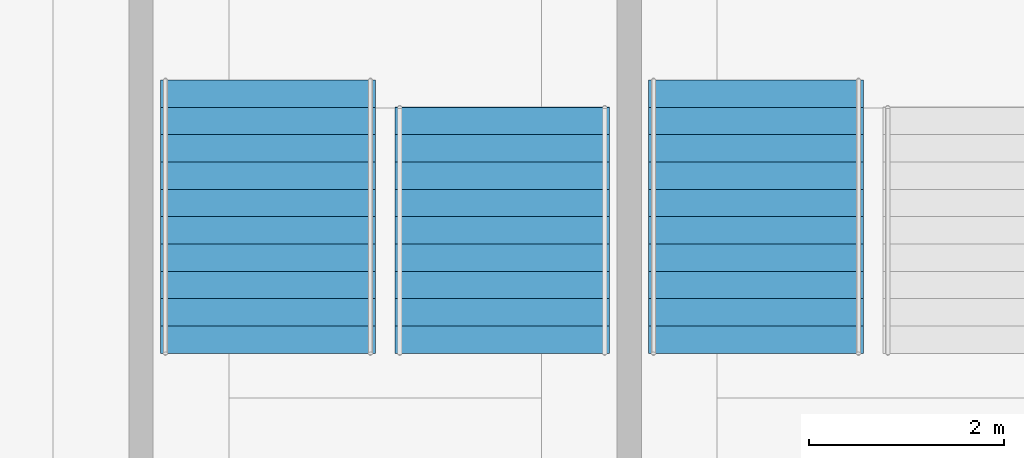
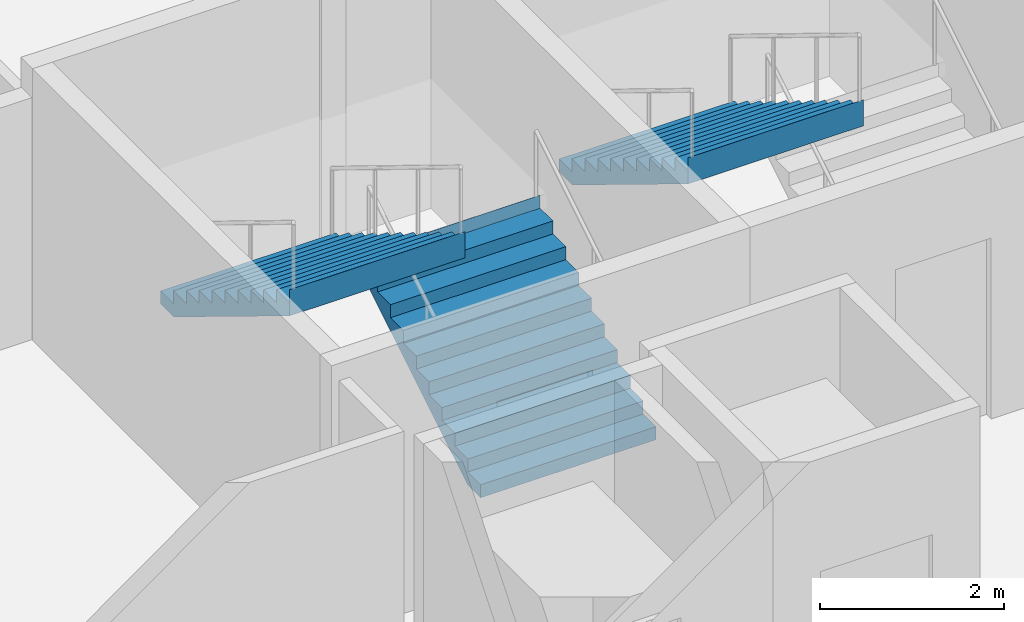
# One storey, part 103 of 148: 3 stair flights, 2 elements without a shape of their own.
"""IFC4 building model written with IfcOpenShell, lengths in metres."""

from ifc_helpers import new_model, si_unit, direction, frame, origin, place, context, subcontext, project, spatial, polyline, outline, extrude, material, type_object, element, aggregate, save


model = new_model("IFC4")

# Units and contexts
model_context = context("Model", 3, precision=1e-05, world=origin(), true_north=direction((0.0, 1.0)))
body_context = subcontext(model_context, "Body", "Model", "MODEL_VIEW")
ifc_project = project(units=[si_unit("LENGTHUNIT", "METRE"), si_unit("AREAUNIT", "SQUARE_METRE"), si_unit("VOLUMEUNIT", "CUBIC_METRE"), si_unit("PLANEANGLEUNIT", "RADIAN"), si_unit("MASSUNIT", "GRAM", prefix="KILO")], contexts=[model_context])

# Site, building, storey
site_placement = place(None, origin())
site = spatial("IfcSite", under=ifc_project, at=site_placement, CompositionType="ELEMENT")
building_placement = place(site_placement, origin())
building = spatial("IfcBuilding", under=site, at=building_placement, Name="Kupolbacken Congress Centre", CompositionType="ELEMENT")
storey_placement = place(building_placement, origin())
storey = spatial("IfcBuildingStorey", under=building, at=storey_placement, Name="L00", CompositionType="ELEMENT", Elevation=0.0)

# Stair, stair flights
ifc_material_1 = material(Name="Concrete C30/37", Category="concrete")
stair_type = type_object("IfcStairType", Name="ST13 stair 2200", PredefinedType="TWO_STRAIGHT_RUN_STAIR", material=ifc_material_1)
stair_1_placement = place(storey_placement, origin())
stair_1 = element("IfcStair", 1, at=stair_1_placement, inside=storey, type_object=stair_type, Name="C/stair/PS1NE/L00", PredefinedType="NOTDEFINED")
ifc_material_2 = material(Name="Concrete C30/37", Category="concrete")
stair_flight_type_1 = type_object("IfcStairFlightType", Name="FL13 stair flight 2200 x 10 risers", PredefinedType="STRAIGHT", material=ifc_material_2)
stair_flight_1_placement = place(storey_placement, frame((72.10009765625, 117.2548828125, 0.0), z_axis=(0.0, 0.0, 1.0), x_axis=(0.0, 1.0, 0.0)))
stair_flight_1 = element("IfcStairFlight", 2, at=stair_flight_1_placement, type_object=stair_flight_type_1, Name="PS1NE flight 1", NumberOfRisers=10, NumberOfTreads=9, PredefinedType="STRAIGHT", RiserHeight=0.171428571, TreadLength=0.28, context=body_context, shape_type="SweptSolid", body=[
    extrude(outline(polyline([(0.0, 0.0), (0.0, 0.0009765625), (0.0, 0.002197265625), (0.0, 0.003173828125), (0.0, 0.004150390625), (0.0, 0.00537109375), (0.0, 0.00634765625), (0.0, 0.007568359375), (0.0, 0.008544921875), (0.0, 0.009521484375), (0.0, 0.0107421875), (0.0, 0.01171875), (0.0, 0.0126953125), (0.0, 0.013916015625), (0.0, 0.014892578125), (0.0, 0.015869140625), (0.0, 0.01708984375), (0.0, 0.01806640625), (0.0, 0.019287109375), (0.0, 0.020263671875), (0.0, 0.021240234375), (0.0, 0.0224609375), (0.0, 0.0234375), (0.0, 0.0244140625), (0.0, 0.025634765625), (0.0, 0.026611328125), (0.0, 0.027587890625), (0.0, 0.02880859375), (0.0, 0.02978515625), (0.0, 0.03076171875), (0.0, 0.031982421875), (0.0, 0.032958984375), (0.0, 0.0341796875), (0.0, 0.03515625), (0.0, 0.0361328125), (0.0, 0.037353515625), (0.0, 0.038330078125), (0.0, 0.039306640625), (0.0, 0.04052734375), (0.0, 0.04150390625), (0.0, 0.04248046875), (0.0, 0.043701171875), (0.0, 0.044677734375), (0.0, 0.0458984375), (0.0, 0.046875), (0.0, 0.0478515625), (0.0, 0.049072265625), (0.0, 0.050048828125), (0.0, 0.051025390625), (0.0, 0.05224609375), (0.0, 0.05322265625), (0.0, 0.05419921875), (0.0, 0.055419921875), (0.0, 0.056396484375), (0.0, 0.0576171875), (0.0, 0.05859375), (0.0, 0.0595703125), (0.0, 0.060791015625), (0.0, 0.061767578125), (0.0, 0.062744140625), (0.0, 0.06396484375), (0.0, 0.06494140625), (0.0, 0.06591796875), (0.0, 0.067138671875), (0.0, 0.068115234375), (0.0, 0.069091796875), (0.0, 0.0703125), (0.0, 0.0712890625), (0.0, 0.072509765625), (0.0, 0.073486328125), (0.0, 0.074462890625), (0.0, 0.07568359375), (0.0, 0.07666015625), (0.0, 0.07763671875), (0.0, 0.078857421875), (0.0, 0.079833984375), (0.0, 0.080810546875), (0.0, 0.08203125), (0.0, 0.0830078125), (0.0, 0.084228515625), (0.0, 0.085205078125), (0.0, 0.086181640625), (0.0, 0.08740234375), (0.0, 0.08837890625), (0.0, 0.08935546875), (0.0, 0.090576171875), (0.0, 0.091552734375), (0.0, 0.092529296875), (0.0, 0.09375), (0.0, 0.0947265625), (0.0, 0.095947265625), (0.0, 0.096923828125), (0.0, 0.097900390625), (0.0, 0.09912109375), (0.0, 0.10009765625), (0.0, 0.10107421875), (0.0, 0.102294921875), (0.0, 0.103271484375), (0.0, 0.104248046875), (0.0, 0.10546875), (0.0, 0.1064453125), (0.0, 0.107421875), (0.0, 0.108642578125), (0.0, 0.109619140625), (0.0, 0.11083984375), (0.0, 0.11181640625), (0.0, 0.11279296875), (0.0, 0.114013671875), (0.0, 0.114990234375), (0.0, 0.115966796875), (0.0, 0.1171875), (0.0, 0.1181640625), (0.0, 0.119140625), (0.0, 0.120361328125), (0.0, 0.121337890625), (0.0, 0.12255859375), (0.0, 0.12353515625), (0.0, 0.12451171875), (0.0, 0.125732421875), (0.0, 0.126708984375), (0.0, 0.127685546875), (0.0, 0.12890625), (0.0, 0.1298828125), (0.0, 0.130859375), (0.0, 0.132080078125), (0.0, 0.133056640625), (0.0, 0.13427734375), (0.0, 0.13525390625), (0.0, 0.13623046875), (0.0, 0.137451171875), (0.0, 0.138427734375), (0.0, 0.139404296875), (0.0, 0.140625), (0.0, 0.1416015625), (0.0, 0.142578125), (0.0, 0.143798828125), (0.0, 0.144775390625), (0.0, 0.145751953125), (0.0, 0.14697265625), (0.0, 0.14794921875), (0.0, 0.149169921875), (0.0, 0.150146484375), (0.0, 0.151123046875), (0.0, 0.15234375), (0.0, 0.1533203125), (0.0, 0.154296875), (0.0, 0.155517578125), (0.0, 0.156494140625), (0.0, 0.157470703125), (0.0, 0.15869140625), (0.0, 0.15966796875), (0.0, 0.160888671875), (0.0, 0.161865234375), (0.0, 0.162841796875), (0.0, 0.1640625), (0.0, 0.1650390625), (0.0, 0.166015625), (0.0, 0.167236328125), (0.0, 0.168212890625), (0.0, 0.169189453125), (0.0, 0.17041015625), (0.0, 0.17138671875), (0.280029296875, 0.17138671875), (0.280029296875, 0.3427734375), (0.56005859375, 0.3427734375), (0.56005859375, 0.514404296875), (0.840087890625, 0.514404296875), (0.840087890625, 0.685791015625), (1.1201171875, 0.685791015625), (1.1201171875, 0.857177734375), (1.39990234375, 0.857177734375), (1.39990234375, 1.028564453125), (1.679931640625, 1.028564453125), (1.679931640625, 1.199951171875), (1.9599609375, 1.199951171875), (1.9599609375, 1.371337890625), (2.239990234375, 1.371337890625), (2.239990234375, 1.54296875), (2.52001953125, 1.54296875), (2.52001953125, 1.71435546875), (2.52197265625, 1.71435546875), (2.52197265625, 1.712158203125), (2.52197265625, 1.7099609375), (2.52197265625, 1.707763671875), (2.52197265625, 1.70556640625), (2.52197265625, 1.70361328125), (2.52197265625, 1.701416015625), (2.52197265625, 1.69921875), (2.52197265625, 1.697021484375), (2.52197265625, 1.69482421875), (2.52197265625, 1.692626953125), (2.52197265625, 1.690673828125), (2.52197265625, 1.6884765625), (2.52197265625, 1.686279296875), (2.52197265625, 1.68408203125), (2.52197265625, 1.681884765625), (2.52197265625, 1.6796875), (2.52197265625, 1.677734375), (2.52197265625, 1.675537109375), (2.52197265625, 1.67333984375), (2.52197265625, 1.671142578125), (2.52197265625, 1.6689453125), (2.52197265625, 1.666748046875), (2.52197265625, 1.664794921875), (2.52197265625, 1.66259765625), (2.52197265625, 1.660400390625), (2.52197265625, 1.658203125), (2.52197265625, 1.656005859375), (2.52197265625, 1.65380859375), (2.52197265625, 1.65185546875), (2.52197265625, 1.649658203125), (2.52197265625, 1.6474609375), (2.52197265625, 1.645263671875), (2.52197265625, 1.64306640625), (2.52197265625, 1.640869140625), (2.52197265625, 1.638916015625), (2.52197265625, 1.63671875), (2.52197265625, 1.634521484375), (2.52197265625, 1.63232421875), (2.52197265625, 1.630126953125), (2.52197265625, 1.6279296875), (2.52197265625, 1.6259765625), (2.52197265625, 1.623779296875), (2.52197265625, 1.62158203125), (2.52197265625, 1.619384765625), (2.52197265625, 1.6171875), (2.52197265625, 1.614990234375), (2.52197265625, 1.613037109375), (2.52197265625, 1.61083984375), (2.52197265625, 1.608642578125), (2.52197265625, 1.6064453125), (2.52197265625, 1.604248046875), (2.52197265625, 1.60205078125), (2.52197265625, 1.60009765625), (2.52197265625, 1.597900390625), (2.52197265625, 1.595703125), (2.52197265625, 1.593505859375), (2.52197265625, 1.59130859375), (2.52197265625, 1.589111328125), (2.52197265625, 1.587158203125), (2.52197265625, 1.5849609375), (2.52197265625, 1.582763671875), (2.52197265625, 1.58056640625), (2.52197265625, 1.578369140625), (2.52197265625, 1.576171875), (2.52197265625, 1.57421875), (2.52197265625, 1.572021484375), (2.52197265625, 1.56982421875), (2.52197265625, 1.567626953125), (2.52197265625, 1.5654296875), (2.52197265625, 1.563232421875), (2.52197265625, 1.561279296875), (2.52197265625, 1.55908203125), (2.52197265625, 1.556884765625), (2.52197265625, 1.5546875), (2.52197265625, 1.552490234375), (2.52197265625, 1.55029296875), (2.52197265625, 1.54833984375), (2.52197265625, 1.546142578125), (2.52197265625, 1.5439453125), (2.52197265625, 1.541748046875), (2.52197265625, 1.53955078125), (2.52197265625, 1.537353515625), (2.52197265625, 1.535400390625), (2.52197265625, 1.533203125), (2.52197265625, 1.531005859375), (2.52197265625, 1.52880859375), (2.52197265625, 1.526611328125), (2.52197265625, 1.5244140625), (2.52197265625, 1.5224609375), (2.52197265625, 1.520263671875), (2.52197265625, 1.51806640625), (2.52197265625, 1.515869140625), (2.52197265625, 1.513671875), (2.52197265625, 1.511474609375), (2.52197265625, 1.509521484375), (2.52197265625, 1.50732421875), (2.52197265625, 1.505126953125), (2.52197265625, 1.5029296875), (2.52197265625, 1.500732421875), (2.52197265625, 1.49853515625), (2.52197265625, 1.49658203125), (2.52197265625, 1.494384765625), (2.52197265625, 1.4921875), (2.52197265625, 1.489990234375), (2.52197265625, 1.48779296875), (2.52197265625, 1.485595703125), (2.52197265625, 1.483642578125), (2.52197265625, 1.4814453125), (2.52197265625, 1.479248046875), (2.52197265625, 1.47705078125), (2.52197265625, 1.474853515625), (2.52197265625, 1.47265625), (2.52197265625, 1.470703125), (2.52197265625, 1.468505859375), (2.52197265625, 1.46630859375), (2.52197265625, 1.464111328125), (2.52197265625, 1.4619140625), (2.52197265625, 1.459716796875), (2.52197265625, 1.457763671875), (2.52197265625, 1.45556640625), (2.52197265625, 1.453369140625), (2.52197265625, 1.451171875), (2.52197265625, 1.448974609375), (2.52197265625, 1.44677734375), (2.52197265625, 1.44482421875), (2.52197265625, 1.442626953125), (2.52197265625, 1.4404296875), (2.52197265625, 1.438232421875), (2.52197265625, 1.43603515625), (2.52197265625, 1.433837890625), (2.52197265625, 1.431884765625), (2.52197265625, 1.4296875), (2.52197265625, 1.427490234375), (2.52197265625, 1.42529296875), (2.52197265625, 1.423095703125), (2.52197265625, 1.4208984375), (2.52197265625, 1.4189453125), (2.52197265625, 1.416748046875), (2.52197265625, 1.41455078125), (2.52197265625, 1.412353515625), (2.52197265625, 1.41015625), (2.52197265625, 1.407958984375), (2.52197265625, 1.406005859375), (2.52197265625, 1.40380859375), (2.52197265625, 1.401611328125), (2.52197265625, 1.3994140625), (2.52197265625, 1.397216796875), (2.52197265625, 1.39501953125), (2.52197265625, 1.39306640625), (2.52197265625, 1.390869140625), (2.52197265625, 1.388671875), (2.52197265625, 1.386474609375), (2.52197265625, 1.38427734375), (2.52197265625, 1.382080078125), (2.52197265625, 1.380126953125), (2.52197265625, 1.3779296875), (2.52197265625, 1.375732421875), (2.52197265625, 1.37353515625), (2.52197265625, 1.371337890625), (2.52197265625, 1.369140625), (2.52197265625, 1.3671875), (0.2890625, 0.0), (0.0, 0.0)])), frame((0.0, 1.10009765625, 0.0), z_axis=(0.0, -1.0, 0.0), x_axis=(1.0, 0.0, 0.0)), (0.0, 0.0, 1.0), 2.199951171875),
])
ifc_material_3 = material(Name="Concrete C30/37", Category="concrete")
stair_flight_type_2 = type_object("IfcStairFlightType", Name="FL14 stair flight 2200 x 11 risers", PredefinedType="STRAIGHT", material=ifc_material_3)
stair_flight_2_placement = place(storey_placement, frame((69.699951171875, 120.054931640625, 1.71435546875), z_axis=(0.0, 0.0, 1.0), x_axis=(0.0, -1.0, 0.0)))
stair_flight_2 = element("IfcStairFlight", 3, at=stair_flight_2_placement, type_object=stair_flight_type_2, Name="PS1NE flight 2", NumberOfRisers=11, NumberOfTreads=10, PredefinedType="STRAIGHT", RiserHeight=0.171428571, TreadLength=0.28, context=body_context, shape_type="SweptSolid", body=[
    extrude(outline(polyline([(0.0, 0.0), (0.0, 0.0009765625), (0.0, 0.002197265625), (0.0, 0.003173828125), (0.0, 0.004150390625), (0.0, 0.00537109375), (0.0, 0.00634765625), (0.0, 0.007568359375), (0.0, 0.008544921875), (0.0, 0.009521484375), (0.0, 0.0107421875), (0.0, 0.01171875), (0.0, 0.0126953125), (0.0, 0.013916015625), (0.0, 0.014892578125), (0.0, 0.015869140625), (0.0, 0.01708984375), (0.0, 0.01806640625), (0.0, 0.019287109375), (0.0, 0.020263671875), (0.0, 0.021240234375), (0.0, 0.0224609375), (0.0, 0.0234375), (0.0, 0.0244140625), (0.0, 0.025634765625), (0.0, 0.026611328125), (0.0, 0.027587890625), (0.0, 0.02880859375), (0.0, 0.02978515625), (0.0, 0.03076171875), (0.0, 0.031982421875), (0.0, 0.032958984375), (0.0, 0.0341796875), (0.0, 0.03515625), (0.0, 0.0361328125), (0.0, 0.037353515625), (0.0, 0.038330078125), (0.0, 0.039306640625), (0.0, 0.04052734375), (0.0, 0.04150390625), (0.0, 0.04248046875), (0.0, 0.043701171875), (0.0, 0.044677734375), (0.0, 0.0458984375), (0.0, 0.046875), (0.0, 0.0478515625), (0.0, 0.049072265625), (0.0, 0.050048828125), (0.0, 0.051025390625), (0.0, 0.05224609375), (0.0, 0.05322265625), (0.0, 0.05419921875), (0.0, 0.055419921875), (0.0, 0.056396484375), (0.0, 0.0576171875), (0.0, 0.05859375), (0.0, 0.0595703125), (0.0, 0.060791015625), (0.0, 0.061767578125), (0.0, 0.062744140625), (0.0, 0.06396484375), (0.0, 0.06494140625), (0.0, 0.06591796875), (0.0, 0.067138671875), (0.0, 0.068115234375), (0.0, 0.069091796875), (0.0, 0.0703125), (0.0, 0.0712890625), (0.0, 0.072509765625), (0.0, 0.073486328125), (0.0, 0.074462890625), (0.0, 0.07568359375), (0.0, 0.07666015625), (0.0, 0.07763671875), (0.0, 0.078857421875), (0.0, 0.079833984375), (0.0, 0.080810546875), (0.0, 0.08203125), (0.0, 0.0830078125), (0.0, 0.084228515625), (0.0, 0.085205078125), (0.0, 0.086181640625), (0.0, 0.08740234375), (0.0, 0.08837890625), (0.0, 0.08935546875), (0.0, 0.090576171875), (0.0, 0.091552734375), (0.0, 0.092529296875), (0.0, 0.09375), (0.0, 0.0947265625), (0.0, 0.095947265625), (0.0, 0.096923828125), (0.0, 0.097900390625), (0.0, 0.09912109375), (0.0, 0.10009765625), (0.0, 0.10107421875), (0.0, 0.102294921875), (0.0, 0.103271484375), (0.0, 0.104248046875), (0.0, 0.10546875), (0.0, 0.1064453125), (0.0, 0.107421875), (0.0, 0.108642578125), (0.0, 0.109619140625), (0.0, 0.11083984375), (0.0, 0.11181640625), (0.0, 0.11279296875), (0.0, 0.114013671875), (0.0, 0.114990234375), (0.0, 0.115966796875), (0.0, 0.1171875), (0.0, 0.1181640625), (0.0, 0.119140625), (0.0, 0.120361328125), (0.0, 0.121337890625), (0.0, 0.12255859375), (0.0, 0.12353515625), (0.0, 0.12451171875), (0.0, 0.125732421875), (0.0, 0.126708984375), (0.0, 0.127685546875), (0.0, 0.12890625), (0.0, 0.1298828125), (0.0, 0.130859375), (0.0, 0.132080078125), (0.0, 0.133056640625), (0.0, 0.13427734375), (0.0, 0.13525390625), (0.0, 0.13623046875), (0.0, 0.137451171875), (0.0, 0.138427734375), (0.0, 0.139404296875), (0.0, 0.140625), (0.0, 0.1416015625), (0.0, 0.142578125), (0.0, 0.143798828125), (0.0, 0.144775390625), (0.0, 0.145751953125), (0.0, 0.14697265625), (0.0, 0.14794921875), (0.0, 0.149169921875), (0.0, 0.150146484375), (0.0, 0.151123046875), (0.0, 0.15234375), (0.0, 0.1533203125), (0.0, 0.154296875), (0.0, 0.155517578125), (0.0, 0.156494140625), (0.0, 0.157470703125), (0.0, 0.15869140625), (0.0, 0.15966796875), (0.0, 0.160888671875), (0.0, 0.161865234375), (0.0, 0.162841796875), (0.0, 0.1640625), (0.0, 0.1650390625), (0.0, 0.166015625), (0.0, 0.167236328125), (0.0, 0.168212890625), (0.0, 0.169189453125), (0.0, 0.17041015625), (0.0, 0.17138671875), (0.280029296875, 0.17138671875), (0.280029296875, 0.3427734375), (0.56005859375, 0.3427734375), (0.56005859375, 0.514404296875), (0.840087890625, 0.514404296875), (0.840087890625, 0.685791015625), (1.1201171875, 0.685791015625), (1.1201171875, 0.857177734375), (1.39990234375, 0.857177734375), (1.39990234375, 1.028564453125), (1.679931640625, 1.028564453125), (1.679931640625, 1.199951171875), (1.9599609375, 1.199951171875), (1.9599609375, 1.371337890625), (2.239990234375, 1.371337890625), (2.239990234375, 1.54296875), (2.52001953125, 1.54296875), (2.52001953125, 1.71435546875), (2.800048828125, 1.71435546875), (2.800048828125, 1.8857421875), (2.802001953125, 1.8857421875), (2.802001953125, 1.883544921875), (2.802001953125, 1.88134765625), (2.802001953125, 1.879150390625), (2.802001953125, 1.877197265625), (2.802001953125, 1.875), (2.802001953125, 1.872802734375), (2.802001953125, 1.87060546875), (2.802001953125, 1.868408203125), (2.802001953125, 1.8662109375), (2.802001953125, 1.8642578125), (2.802001953125, 1.862060546875), (2.802001953125, 1.85986328125), (2.802001953125, 1.857666015625), (2.802001953125, 1.85546875), (2.802001953125, 1.853271484375), (2.802001953125, 1.851318359375), (2.802001953125, 1.84912109375), (2.802001953125, 1.846923828125), (2.802001953125, 1.8447265625), (2.802001953125, 1.842529296875), (2.802001953125, 1.84033203125), (2.802001953125, 1.83837890625), (2.802001953125, 1.836181640625), (2.802001953125, 1.833984375), (2.802001953125, 1.831787109375), (2.802001953125, 1.82958984375), (2.802001953125, 1.827392578125), (2.802001953125, 1.825439453125), (2.802001953125, 1.8232421875), (2.802001953125, 1.821044921875), (2.802001953125, 1.81884765625), (2.802001953125, 1.816650390625), (2.802001953125, 1.814453125), (2.802001953125, 1.8125), (2.802001953125, 1.810302734375), (2.802001953125, 1.80810546875), (2.802001953125, 1.805908203125), (2.802001953125, 1.8037109375), (2.802001953125, 1.801513671875), (2.802001953125, 1.799560546875), (2.802001953125, 1.79736328125), (2.802001953125, 1.795166015625), (2.802001953125, 1.79296875), (2.802001953125, 1.790771484375), (2.802001953125, 1.78857421875), (2.802001953125, 1.78662109375), (2.802001953125, 1.784423828125), (2.802001953125, 1.7822265625), (2.802001953125, 1.780029296875), (2.802001953125, 1.77783203125), (2.802001953125, 1.775634765625), (2.802001953125, 1.773681640625), (2.802001953125, 1.771484375), (2.802001953125, 1.769287109375), (2.802001953125, 1.76708984375), (2.802001953125, 1.764892578125), (2.802001953125, 1.7626953125), (2.802001953125, 1.7607421875), (2.802001953125, 1.758544921875), (2.802001953125, 1.75634765625), (2.802001953125, 1.754150390625), (2.802001953125, 1.751953125), (2.802001953125, 1.749755859375), (2.802001953125, 1.747802734375), (2.802001953125, 1.74560546875), (2.802001953125, 1.743408203125), (2.802001953125, 1.7412109375), (2.802001953125, 1.739013671875), (2.802001953125, 1.73681640625), (2.802001953125, 1.73486328125), (2.802001953125, 1.732666015625), (2.802001953125, 1.73046875), (2.802001953125, 1.728271484375), (2.802001953125, 1.72607421875), (2.802001953125, 1.723876953125), (2.802001953125, 1.721923828125), (2.802001953125, 1.7197265625), (2.802001953125, 1.717529296875), (2.802001953125, 1.71533203125), (2.802001953125, 1.713134765625), (2.802001953125, 1.7109375), (2.802001953125, 1.708984375), (2.802001953125, 1.706787109375), (2.802001953125, 1.70458984375), (2.802001953125, 1.702392578125), (2.802001953125, 1.7001953125), (2.802001953125, 1.697998046875), (2.802001953125, 1.696044921875), (2.802001953125, 1.69384765625), (2.802001953125, 1.691650390625), (2.802001953125, 1.689453125), (2.802001953125, 1.687255859375), (2.802001953125, 1.68505859375), (2.802001953125, 1.68310546875), (2.802001953125, 1.680908203125), (2.802001953125, 1.6787109375), (2.802001953125, 1.676513671875), (2.802001953125, 1.67431640625), (2.802001953125, 1.672119140625), (2.802001953125, 1.670166015625), (2.802001953125, 1.66796875), (2.802001953125, 1.665771484375), (2.802001953125, 1.66357421875), (2.802001953125, 1.661376953125), (2.802001953125, 1.6591796875), (2.802001953125, 1.6572265625), (2.802001953125, 1.655029296875), (2.802001953125, 1.65283203125), (2.802001953125, 1.650634765625), (2.802001953125, 1.6484375), (2.802001953125, 1.646240234375), (2.802001953125, 1.644287109375), (2.802001953125, 1.64208984375), (2.802001953125, 1.639892578125), (2.802001953125, 1.6376953125), (2.802001953125, 1.635498046875), (2.802001953125, 1.63330078125), (2.802001953125, 1.63134765625), (2.802001953125, 1.629150390625), (2.802001953125, 1.626953125), (2.802001953125, 1.624755859375), (2.802001953125, 1.62255859375), (2.802001953125, 1.620361328125), (2.802001953125, 1.618408203125), (2.802001953125, 1.6162109375), (2.802001953125, 1.614013671875), (2.802001953125, 1.61181640625), (2.802001953125, 1.609619140625), (2.802001953125, 1.607421875), (2.802001953125, 1.60546875), (2.802001953125, 1.603271484375), (2.802001953125, 1.60107421875), (2.802001953125, 1.598876953125), (2.802001953125, 1.5966796875), (2.802001953125, 1.594482421875), (2.802001953125, 1.592529296875), (2.802001953125, 1.59033203125), (2.802001953125, 1.588134765625), (2.802001953125, 1.5859375), (2.802001953125, 1.583740234375), (2.802001953125, 1.58154296875), (2.802001953125, 1.57958984375), (2.802001953125, 1.577392578125), (2.802001953125, 1.5751953125), (2.802001953125, 1.572998046875), (2.802001953125, 1.57080078125), (2.802001953125, 1.568603515625), (2.802001953125, 1.566650390625), (2.802001953125, 1.564453125), (2.802001953125, 1.562255859375), (2.802001953125, 1.56005859375), (2.802001953125, 1.557861328125), (2.802001953125, 1.5556640625), (2.802001953125, 1.5537109375), (2.802001953125, 1.551513671875), (2.802001953125, 1.54931640625), (2.802001953125, 1.547119140625), (2.802001953125, 1.544921875), (2.802001953125, 1.542724609375), (2.802001953125, 1.540771484375), (2.802001953125, 1.53857421875), (0.2890625, 0.0), (0.0, 0.0)])), frame((0.0, 1.10009765625, 0.0), z_axis=(0.0, -1.0, 0.0), x_axis=(1.0, 0.0, 0.0)), (0.0, 0.0, 1.0), 2.199951171875),
])
aggregate(stair_1, [stair_flight_1, stair_flight_2])

# Stair, stair flight
stair_2_placement = place(storey_placement, origin())
stair_2 = element("IfcStair", 4, at=stair_2_placement, inside=storey, type_object=stair_type, Name="C/stair/PS2NE/L00", PredefinedType="NOTDEFINED")
stair_flight_3_placement = place(storey_placement, frame((74.699951171875, 120.054931640625, 1.71435546875), z_axis=(0.0, 0.0, 1.0), x_axis=(0.0, -1.0, 0.0)))
stair_flight_3 = element("IfcStairFlight", 5, at=stair_flight_3_placement, type_object=stair_flight_type_2, Name="PS2NE flight 2", NumberOfRisers=11, NumberOfTreads=10, PredefinedType="STRAIGHT", RiserHeight=0.171428571, TreadLength=0.28, context=body_context, shape_type="SweptSolid", body=[
    extrude(outline(polyline([(0.0, 0.0), (0.0, 0.0009765625), (0.0, 0.002197265625), (0.0, 0.003173828125), (0.0, 0.004150390625), (0.0, 0.00537109375), (0.0, 0.00634765625), (0.0, 0.007568359375), (0.0, 0.008544921875), (0.0, 0.009521484375), (0.0, 0.0107421875), (0.0, 0.01171875), (0.0, 0.0126953125), (0.0, 0.013916015625), (0.0, 0.014892578125), (0.0, 0.015869140625), (0.0, 0.01708984375), (0.0, 0.01806640625), (0.0, 0.019287109375), (0.0, 0.020263671875), (0.0, 0.021240234375), (0.0, 0.0224609375), (0.0, 0.0234375), (0.0, 0.0244140625), (0.0, 0.025634765625), (0.0, 0.026611328125), (0.0, 0.027587890625), (0.0, 0.02880859375), (0.0, 0.02978515625), (0.0, 0.03076171875), (0.0, 0.031982421875), (0.0, 0.032958984375), (0.0, 0.0341796875), (0.0, 0.03515625), (0.0, 0.0361328125), (0.0, 0.037353515625), (0.0, 0.038330078125), (0.0, 0.039306640625), (0.0, 0.04052734375), (0.0, 0.04150390625), (0.0, 0.04248046875), (0.0, 0.043701171875), (0.0, 0.044677734375), (0.0, 0.0458984375), (0.0, 0.046875), (0.0, 0.0478515625), (0.0, 0.049072265625), (0.0, 0.050048828125), (0.0, 0.051025390625), (0.0, 0.05224609375), (0.0, 0.05322265625), (0.0, 0.05419921875), (0.0, 0.055419921875), (0.0, 0.056396484375), (0.0, 0.0576171875), (0.0, 0.05859375), (0.0, 0.0595703125), (0.0, 0.060791015625), (0.0, 0.061767578125), (0.0, 0.062744140625), (0.0, 0.06396484375), (0.0, 0.06494140625), (0.0, 0.06591796875), (0.0, 0.067138671875), (0.0, 0.068115234375), (0.0, 0.069091796875), (0.0, 0.0703125), (0.0, 0.0712890625), (0.0, 0.072509765625), (0.0, 0.073486328125), (0.0, 0.074462890625), (0.0, 0.07568359375), (0.0, 0.07666015625), (0.0, 0.07763671875), (0.0, 0.078857421875), (0.0, 0.079833984375), (0.0, 0.080810546875), (0.0, 0.08203125), (0.0, 0.0830078125), (0.0, 0.084228515625), (0.0, 0.085205078125), (0.0, 0.086181640625), (0.0, 0.08740234375), (0.0, 0.08837890625), (0.0, 0.08935546875), (0.0, 0.090576171875), (0.0, 0.091552734375), (0.0, 0.092529296875), (0.0, 0.09375), (0.0, 0.0947265625), (0.0, 0.095947265625), (0.0, 0.096923828125), (0.0, 0.097900390625), (0.0, 0.09912109375), (0.0, 0.10009765625), (0.0, 0.10107421875), (0.0, 0.102294921875), (0.0, 0.103271484375), (0.0, 0.104248046875), (0.0, 0.10546875), (0.0, 0.1064453125), (0.0, 0.107421875), (0.0, 0.108642578125), (0.0, 0.109619140625), (0.0, 0.11083984375), (0.0, 0.11181640625), (0.0, 0.11279296875), (0.0, 0.114013671875), (0.0, 0.114990234375), (0.0, 0.115966796875), (0.0, 0.1171875), (0.0, 0.1181640625), (0.0, 0.119140625), (0.0, 0.120361328125), (0.0, 0.121337890625), (0.0, 0.12255859375), (0.0, 0.12353515625), (0.0, 0.12451171875), (0.0, 0.125732421875), (0.0, 0.126708984375), (0.0, 0.127685546875), (0.0, 0.12890625), (0.0, 0.1298828125), (0.0, 0.130859375), (0.0, 0.132080078125), (0.0, 0.133056640625), (0.0, 0.13427734375), (0.0, 0.13525390625), (0.0, 0.13623046875), (0.0, 0.137451171875), (0.0, 0.138427734375), (0.0, 0.139404296875), (0.0, 0.140625), (0.0, 0.1416015625), (0.0, 0.142578125), (0.0, 0.143798828125), (0.0, 0.144775390625), (0.0, 0.145751953125), (0.0, 0.14697265625), (0.0, 0.14794921875), (0.0, 0.149169921875), (0.0, 0.150146484375), (0.0, 0.151123046875), (0.0, 0.15234375), (0.0, 0.1533203125), (0.0, 0.154296875), (0.0, 0.155517578125), (0.0, 0.156494140625), (0.0, 0.157470703125), (0.0, 0.15869140625), (0.0, 0.15966796875), (0.0, 0.160888671875), (0.0, 0.161865234375), (0.0, 0.162841796875), (0.0, 0.1640625), (0.0, 0.1650390625), (0.0, 0.166015625), (0.0, 0.167236328125), (0.0, 0.168212890625), (0.0, 0.169189453125), (0.0, 0.17041015625), (0.0, 0.17138671875), (0.280029296875, 0.17138671875), (0.280029296875, 0.3427734375), (0.56005859375, 0.3427734375), (0.56005859375, 0.514404296875), (0.840087890625, 0.514404296875), (0.840087890625, 0.685791015625), (1.1201171875, 0.685791015625), (1.1201171875, 0.857177734375), (1.39990234375, 0.857177734375), (1.39990234375, 1.028564453125), (1.679931640625, 1.028564453125), (1.679931640625, 1.199951171875), (1.9599609375, 1.199951171875), (1.9599609375, 1.371337890625), (2.239990234375, 1.371337890625), (2.239990234375, 1.54296875), (2.52001953125, 1.54296875), (2.52001953125, 1.71435546875), (2.800048828125, 1.71435546875), (2.800048828125, 1.8857421875), (2.802001953125, 1.8857421875), (2.802001953125, 1.883544921875), (2.802001953125, 1.88134765625), (2.802001953125, 1.879150390625), (2.802001953125, 1.877197265625), (2.802001953125, 1.875), (2.802001953125, 1.872802734375), (2.802001953125, 1.87060546875), (2.802001953125, 1.868408203125), (2.802001953125, 1.8662109375), (2.802001953125, 1.8642578125), (2.802001953125, 1.862060546875), (2.802001953125, 1.85986328125), (2.802001953125, 1.857666015625), (2.802001953125, 1.85546875), (2.802001953125, 1.853271484375), (2.802001953125, 1.851318359375), (2.802001953125, 1.84912109375), (2.802001953125, 1.846923828125), (2.802001953125, 1.8447265625), (2.802001953125, 1.842529296875), (2.802001953125, 1.84033203125), (2.802001953125, 1.83837890625), (2.802001953125, 1.836181640625), (2.802001953125, 1.833984375), (2.802001953125, 1.831787109375), (2.802001953125, 1.82958984375), (2.802001953125, 1.827392578125), (2.802001953125, 1.825439453125), (2.802001953125, 1.8232421875), (2.802001953125, 1.821044921875), (2.802001953125, 1.81884765625), (2.802001953125, 1.816650390625), (2.802001953125, 1.814453125), (2.802001953125, 1.8125), (2.802001953125, 1.810302734375), (2.802001953125, 1.80810546875), (2.802001953125, 1.805908203125), (2.802001953125, 1.8037109375), (2.802001953125, 1.801513671875), (2.802001953125, 1.799560546875), (2.802001953125, 1.79736328125), (2.802001953125, 1.795166015625), (2.802001953125, 1.79296875), (2.802001953125, 1.790771484375), (2.802001953125, 1.78857421875), (2.802001953125, 1.78662109375), (2.802001953125, 1.784423828125), (2.802001953125, 1.7822265625), (2.802001953125, 1.780029296875), (2.802001953125, 1.77783203125), (2.802001953125, 1.775634765625), (2.802001953125, 1.773681640625), (2.802001953125, 1.771484375), (2.802001953125, 1.769287109375), (2.802001953125, 1.76708984375), (2.802001953125, 1.764892578125), (2.802001953125, 1.7626953125), (2.802001953125, 1.7607421875), (2.802001953125, 1.758544921875), (2.802001953125, 1.75634765625), (2.802001953125, 1.754150390625), (2.802001953125, 1.751953125), (2.802001953125, 1.749755859375), (2.802001953125, 1.747802734375), (2.802001953125, 1.74560546875), (2.802001953125, 1.743408203125), (2.802001953125, 1.7412109375), (2.802001953125, 1.739013671875), (2.802001953125, 1.73681640625), (2.802001953125, 1.73486328125), (2.802001953125, 1.732666015625), (2.802001953125, 1.73046875), (2.802001953125, 1.728271484375), (2.802001953125, 1.72607421875), (2.802001953125, 1.723876953125), (2.802001953125, 1.721923828125), (2.802001953125, 1.7197265625), (2.802001953125, 1.717529296875), (2.802001953125, 1.71533203125), (2.802001953125, 1.713134765625), (2.802001953125, 1.7109375), (2.802001953125, 1.708984375), (2.802001953125, 1.706787109375), (2.802001953125, 1.70458984375), (2.802001953125, 1.702392578125), (2.802001953125, 1.7001953125), (2.802001953125, 1.697998046875), (2.802001953125, 1.696044921875), (2.802001953125, 1.69384765625), (2.802001953125, 1.691650390625), (2.802001953125, 1.689453125), (2.802001953125, 1.687255859375), (2.802001953125, 1.68505859375), (2.802001953125, 1.68310546875), (2.802001953125, 1.680908203125), (2.802001953125, 1.6787109375), (2.802001953125, 1.676513671875), (2.802001953125, 1.67431640625), (2.802001953125, 1.672119140625), (2.802001953125, 1.670166015625), (2.802001953125, 1.66796875), (2.802001953125, 1.665771484375), (2.802001953125, 1.66357421875), (2.802001953125, 1.661376953125), (2.802001953125, 1.6591796875), (2.802001953125, 1.6572265625), (2.802001953125, 1.655029296875), (2.802001953125, 1.65283203125), (2.802001953125, 1.650634765625), (2.802001953125, 1.6484375), (2.802001953125, 1.646240234375), (2.802001953125, 1.644287109375), (2.802001953125, 1.64208984375), (2.802001953125, 1.639892578125), (2.802001953125, 1.6376953125), (2.802001953125, 1.635498046875), (2.802001953125, 1.63330078125), (2.802001953125, 1.63134765625), (2.802001953125, 1.629150390625), (2.802001953125, 1.626953125), (2.802001953125, 1.624755859375), (2.802001953125, 1.62255859375), (2.802001953125, 1.620361328125), (2.802001953125, 1.618408203125), (2.802001953125, 1.6162109375), (2.802001953125, 1.614013671875), (2.802001953125, 1.61181640625), (2.802001953125, 1.609619140625), (2.802001953125, 1.607421875), (2.802001953125, 1.60546875), (2.802001953125, 1.603271484375), (2.802001953125, 1.60107421875), (2.802001953125, 1.598876953125), (2.802001953125, 1.5966796875), (2.802001953125, 1.594482421875), (2.802001953125, 1.592529296875), (2.802001953125, 1.59033203125), (2.802001953125, 1.588134765625), (2.802001953125, 1.5859375), (2.802001953125, 1.583740234375), (2.802001953125, 1.58154296875), (2.802001953125, 1.57958984375), (2.802001953125, 1.577392578125), (2.802001953125, 1.5751953125), (2.802001953125, 1.572998046875), (2.802001953125, 1.57080078125), (2.802001953125, 1.568603515625), (2.802001953125, 1.566650390625), (2.802001953125, 1.564453125), (2.802001953125, 1.562255859375), (2.802001953125, 1.56005859375), (2.802001953125, 1.557861328125), (2.802001953125, 1.5556640625), (2.802001953125, 1.5537109375), (2.802001953125, 1.551513671875), (2.802001953125, 1.54931640625), (2.802001953125, 1.547119140625), (2.802001953125, 1.544921875), (2.802001953125, 1.542724609375), (2.802001953125, 1.540771484375), (2.802001953125, 1.53857421875), (0.2890625, 0.0), (0.0, 0.0)])), frame((0.0, 1.10009765625, 0.0), z_axis=(0.0, -1.0, 0.0), x_axis=(1.0, 0.0, 0.0)), (0.0, 0.0, 1.0), 2.199951171875),
])
aggregate(stair_2, [stair_flight_3])

save(model, "model.ifc")
